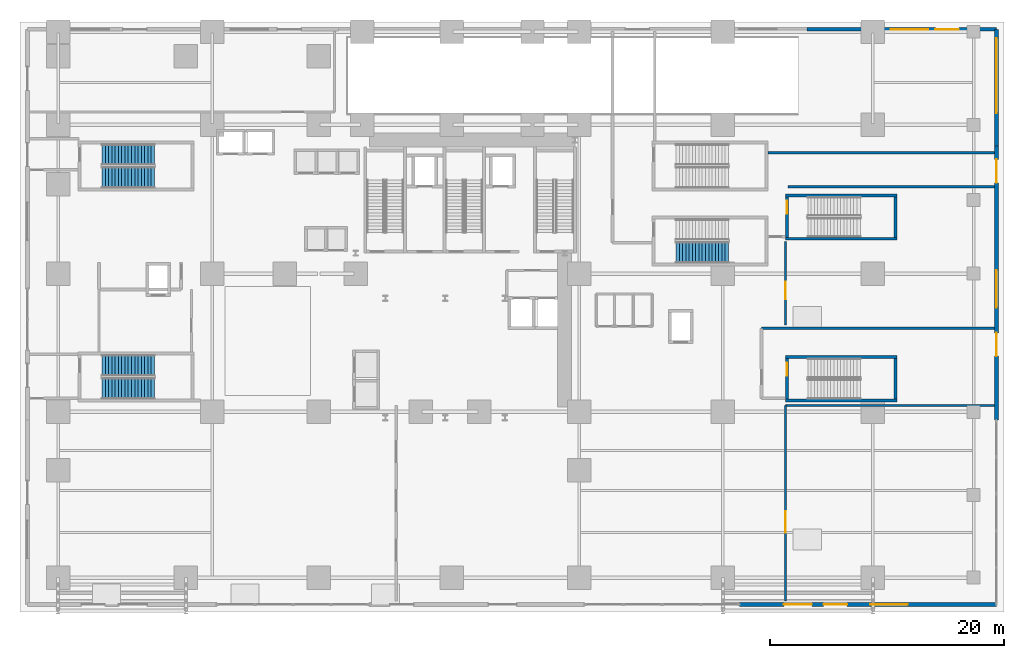
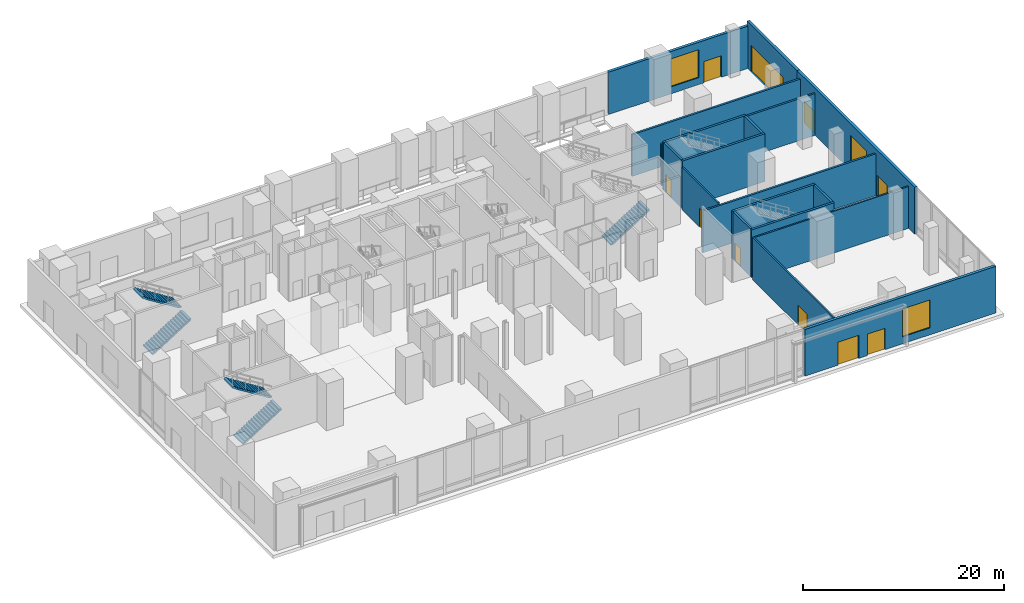
# One storey, part 17 of 25: 18 walls, 10 doors, 5 stair flights, 3 windows, 13 openings, 3 elements without a shape of their own.
"""IFC4 building model written with IfcOpenShell, lengths in metres."""

from ifc_helpers import new_model, si_unit, direction, frame, frame_2d, origin, place, context, subcontext, project, spatial, polyline, rectangle, outline, extrude, source, transform, mapped, material, layer, layer_set, type_object, element, fill, aggregate, save


model = new_model("IFC4")

# Units and contexts
model_context = context("Model", 3, precision=1e-05, world=origin(), true_north=direction((0.0, 1.0)))
body_context = subcontext(model_context, "Body", "Model", "MODEL_VIEW")
ifc_project = project(units=[si_unit("LENGTHUNIT", "METRE"), si_unit("AREAUNIT", "SQUARE_METRE"), si_unit("VOLUMEUNIT", "CUBIC_METRE"), si_unit("PLANEANGLEUNIT", "RADIAN"), si_unit("MASSUNIT", "GRAM", prefix="KILO")], contexts=[model_context])

# Site, building, storey
site_placement = place(None, origin())
site = spatial("IfcSite", under=ifc_project, at=site_placement, CompositionType="ELEMENT")
building_placement = place(site_placement, origin())
building = spatial("IfcBuilding", under=site, at=building_placement, Name="Vardaveli Station Tower", CompositionType="ELEMENT")
storey_placement = place(building_placement, origin())
storey = spatial("IfcBuildingStorey", under=building, at=storey_placement, Name="L01", CompositionType="ELEMENT", Elevation=0.0)

# Wall, openings, doors, window
ifc_material_1 = material(Name="Precast concrete C45/55", Category="concrete")
ifc_layer_1 = layer(ifc_material_1, 0.320068359375, Name="Precast concrete C45/55")
ifc_layer_set_1 = layer_set([ifc_layer_1], Name="Precast concrete C45/55")
wall_type_1 = type_object("IfcWallType", Name="WAL-EXT-STONE-320", PredefinedType="SOLIDWALL", material=ifc_layer_set_1)
shared_shape_1 = source(origin(), body_context, "Body", "SweptSolid", [
    extrude(rectangle(XDim=21.9501953125, YDim=0.320068359375, at=frame_2d((10.97509765625, 0.0))), origin(), (0.0, 0.0, 1.0), 5.679931640625),
])
wall_1_placement = place(storey_placement, frame((61.39990234375, 0.64990234375, 0.0), z_axis=(0.0, 0.0, 1.0), x_axis=(1.0, 0.0, 0.0)))
wall_1 = element("IfcWall", 1, at=wall_1_placement, inside=storey, type_object=wall_type_1, Name="EW-L01-S5", PredefinedType="SOLIDWALL", context=body_context, shape_type="MappedRepresentation", body=[
    mapped(shared_shape_1, transform((0.0, 0.0, 0.0), scale=1.0)),
])
shared_shape_2 = source(origin(), body_context, "Body", "SweptSolid", [
    extrude(rectangle(XDim=2.0, YDim=2.60009765625, at=frame_2d((1.0, 1.300048828125))), frame((0.0, 0.169921875, 0.0), z_axis=(0.0, -1.0, 0.0), x_axis=(1.0, 0.0, 0.0)), (0.0, 0.0, 1.0), 0.340087890625),
])
opening_1_placement = place(wall_1_placement, frame((7.199951171875, 0.0, 0.0)))
opening_1 = element("IfcOpeningElement", 2, at=opening_1_placement, cuts=wall_1, Name="Opening EX-03", PredefinedType="OPENING", context=body_context, shape_type="MappedRepresentation", body=[
    mapped(shared_shape_2, transform((0.0, 0.0, 0.0), scale=1.0)),
])
shared_shape_3 = source(origin(), body_context, "Body", "SweptSolid", [
    extrude(rectangle(XDim=2.39990234375, YDim=2.800048828125, at=frame_2d((1.199951171875, 1.39990234375))), frame((0.0, 0.169921875, 0.0), z_axis=(0.0, -1.0, 0.0), x_axis=(1.0, 0.0, 0.0)), (0.0, 0.0, 1.0), 0.340087890625),
])
opening_2_placement = place(wall_1_placement, frame((3.800048828125, 0.0, 0.0)))
opening_2 = element("IfcOpeningElement", 3, at=opening_2_placement, cuts=wall_1, Name="Opening EN-D1", PredefinedType="OPENING", context=body_context, shape_type="MappedRepresentation", body=[
    mapped(shared_shape_3, transform((0.0, 0.0, 0.0), scale=1.0)),
])
shared_shape_4 = source(origin(), body_context, "Body", "SweptSolid", [
    extrude(rectangle(XDim=3.199951171875, YDim=3.39990234375, at=frame_2d((1.60009765625, 1.699951171875))), frame((0.0, 0.169921875, 0.0), z_axis=(0.0, -1.0, 0.0), x_axis=(1.0, 0.0, 0.0)), (0.0, 0.0, 1.0), 0.340087890625),
])
opening_3_placement = place(wall_1_placement, frame((11.199951171875, 0.0, 0.85009765625)))
opening_3 = element("IfcOpeningElement", 4, at=opening_3_placement, cuts=wall_1, Name="Opening W-01", PredefinedType="OPENING", context=body_context, shape_type="MappedRepresentation", body=[
    mapped(shared_shape_4, transform((0.0, 0.0, 0.0), scale=1.0)),
])
ifc_material_2 = material(Name="Brushed stainless steel and glass", Category="steel")
door_type_1 = type_object("IfcDoorType", Name="DR-EX-2000x2600", OperationType="DOUBLE_DOOR_SINGLE_SWING", PredefinedType="DOOR", material=ifc_material_2)
shared_shape_5 = source(origin(), body_context, "Body", "SweptSolid", [
    extrude(rectangle(XDim=2.0, YDim=2.60009765625, at=frame_2d((1.0, 1.300048828125))), frame((0.0, 0.02490234375, 0.0), z_axis=(0.0, -1.0, 0.0), x_axis=(1.0, 0.0, 0.0)), (0.0, 0.0, 1.0), 0.050048828125),
])
door_1_placement = place(opening_1_placement, frame((2.0, 0.0, 0.0), z_axis=(0.0, 0.0, 1.0), x_axis=(-1.0, 0.0, 0.0)))
door_1 = element("IfcDoor", 5, at=door_1_placement, inside=storey, type_object=door_type_1, Name="EX-03", OperationType="DOUBLE_DOOR_SINGLE_SWING", OverallHeight=2.60009765625, OverallWidth=2.0, PredefinedType="DOOR", context=body_context, shape_type="MappedRepresentation", body=[
    mapped(shared_shape_5, transform((0.0, 0.0, 0.0), scale=1.0)),
])
fill(opening_1, door_1)
door_type_2 = type_object("IfcDoorType", Name="DR-ENT-2400x2800", OperationType="DOUBLE_DOOR_SINGLE_SWING", PredefinedType="DOOR", material=ifc_material_2)
shared_shape_6 = source(origin(), body_context, "Body", "SweptSolid", [
    extrude(rectangle(XDim=2.39990234375, YDim=2.800048828125, at=frame_2d((1.199951171875, 1.39990234375))), frame((0.0, 0.02490234375, 0.0), z_axis=(0.0, -1.0, 0.0), x_axis=(1.0, 0.0, 0.0)), (0.0, 0.0, 1.0), 0.050048828125),
])
door_2_placement = place(opening_2_placement, frame((2.39990234375, 0.0, 0.0), z_axis=(0.0, 0.0, 1.0), x_axis=(-1.0, 0.0, 0.0)))
door_2 = element("IfcDoor", 6, at=door_2_placement, inside=storey, type_object=door_type_2, Name="EN-S3", OperationType="DOUBLE_DOOR_SINGLE_SWING", OverallHeight=2.800048828125, OverallWidth=2.39990234375, PredefinedType="DOOR", context=body_context, shape_type="MappedRepresentation", body=[
    mapped(shared_shape_6, transform((0.0, 0.0, 0.0), scale=1.0)),
])
fill(opening_2, door_2)
ifc_material_3 = material(Name="Low-E acoustic laminated glass", Category="glass")
window_type = type_object("IfcWindowType", Name="WIN-CONC-3200x3400", PartitioningType="SINGLE_PANEL", PredefinedType="WINDOW", material=ifc_material_3)
shared_shape_7 = source(origin(), body_context, "Body", "SweptSolid", [
    extrude(rectangle(XDim=3.199951171875, YDim=3.39990234375, at=frame_2d((1.60009765625, 1.699951171875))), frame((0.0, 0.030029296875, 0.0), z_axis=(0.0, -1.0, 0.0), x_axis=(1.0, 0.0, 0.0)), (0.0, 0.0, 1.0), 0.06005859375),
])
window_1_placement = place(opening_3_placement, origin())
window_1 = element("IfcWindow", 7, at=window_1_placement, inside=storey, type_object=window_type, Name="WN-L01-S5", OverallHeight=3.39990234375, OverallWidth=3.199951171875, PartitioningType="SINGLE_PANEL", PredefinedType="WINDOW", context=body_context, shape_type="MappedRepresentation", body=[
    mapped(shared_shape_7, transform((0.0, 0.0, 0.0), scale=1.0)),
])
fill(opening_3, window_1)

# Wall, openings, door, window
shared_shape_8 = source(origin(), body_context, "Body", "SweptSolid", [
    extrude(rectangle(XDim=16.150146484375, YDim=0.320068359375, at=frame_2d((8.0751953125, 0.0))), origin(), (0.0, 0.0, 1.0), 5.15087890625),
])
wall_2_placement = place(storey_placement, frame((83.35009765625, 49.75, 0.0), z_axis=(0.0, 0.0, 1.0), x_axis=(-1.0, 0.0, 0.0)))
wall_2 = element("IfcWall", 8, at=wall_2_placement, inside=storey, type_object=wall_type_1, Name="EW-L01-N4", PredefinedType="SOLIDWALL", context=body_context, shape_type="MappedRepresentation", body=[
    mapped(shared_shape_8, transform((0.0, 0.0, 0.0), scale=1.0)),
])
opening_4_placement = place(wall_2_placement, frame((3.199951171875, 0.0, 0.0)))
opening_4 = element("IfcOpeningElement", 9, at=opening_4_placement, cuts=wall_2, Name="Opening EX-06", PredefinedType="OPENING", context=body_context, shape_type="MappedRepresentation", body=[
    mapped(shared_shape_2, transform((0.0, 0.0, 0.0), scale=1.0)),
])
opening_5_placement = place(wall_2_placement, frame((5.800048828125, 0.0, 0.85009765625)))
opening_5 = element("IfcOpeningElement", 10, at=opening_5_placement, cuts=wall_2, Name="Opening W-01", PredefinedType="OPENING", context=body_context, shape_type="MappedRepresentation", body=[
    mapped(shared_shape_4, transform((0.0, 0.0, 0.0), scale=1.0)),
])
door_3_placement = place(opening_4_placement, frame((2.0, 0.0, 0.0), z_axis=(0.0, 0.0, 1.0), x_axis=(-1.0, 0.0, 0.0)))
door_3 = element("IfcDoor", 11, at=door_3_placement, inside=storey, type_object=door_type_1, Name="EX-06", OperationType="DOUBLE_DOOR_SINGLE_SWING", OverallHeight=2.60009765625, OverallWidth=2.0, PredefinedType="DOOR", context=body_context, shape_type="MappedRepresentation", body=[
    mapped(shared_shape_5, transform((0.0, 0.0, 0.0), scale=1.0)),
])
fill(opening_4, door_3)
window_2_placement = place(opening_5_placement, origin())
window_2 = element("IfcWindow", 12, at=window_2_placement, inside=storey, type_object=window_type, Name="WN-L01-N4", OverallHeight=3.39990234375, OverallWidth=3.199951171875, PartitioningType="SINGLE_PANEL", PredefinedType="WINDOW", context=body_context, shape_type="MappedRepresentation", body=[
    mapped(shared_shape_7, transform((0.0, 0.0, 0.0), scale=1.0)),
])
fill(opening_5, window_2)

# Wall, openings, doors, window
shared_shape_9 = source(origin(), body_context, "Body", "SweptSolid", [
    extrude(rectangle(XDim=23.400146484375, YDim=0.320068359375, at=frame_2d((11.7001953125, 0.0))), origin(), (0.0, 0.0, 1.0), 5.679931640625),
])
wall_3_placement = place(storey_placement, frame((83.35009765625, 16.39990234375, 0.0), z_axis=(0.0, 0.0, 1.0), x_axis=(0.0, 1.0, 0.0)))
wall_3 = element("IfcWall", 13, at=wall_3_placement, inside=storey, type_object=wall_type_1, Name="EW-L01-E2", PredefinedType="SOLIDWALL", context=body_context, shape_type="MappedRepresentation", body=[
    mapped(shared_shape_9, transform((0.0, 0.0, 0.0), scale=1.0)),
])
opening_6_placement = place(wall_3_placement, frame((5.449951171875, 0.0, 0.0)))
opening_6 = element("IfcOpeningElement", 14, at=opening_6_placement, cuts=wall_3, Name="Opening EX-09", PredefinedType="OPENING", context=body_context, shape_type="MappedRepresentation", body=[
    mapped(shared_shape_2, transform((0.0, 0.0, 0.0), scale=1.0)),
])
opening_7_placement = place(wall_3_placement, frame((20.25, 0.0, 0.0)))
opening_7 = element("IfcOpeningElement", 15, at=opening_7_placement, cuts=wall_3, Name="Opening EX-10", PredefinedType="OPENING", context=body_context, shape_type="MappedRepresentation", body=[
    mapped(shared_shape_2, transform((0.0, 0.0, 0.0), scale=1.0)),
])
opening_8_placement = place(wall_3_placement, frame((9.60009765625, 0.0, 0.85009765625)))
opening_8 = element("IfcOpeningElement", 16, at=opening_8_placement, cuts=wall_3, Name="Opening W-01", PredefinedType="OPENING", context=body_context, shape_type="MappedRepresentation", body=[
    mapped(shared_shape_4, transform((0.0, 0.0, 0.0), scale=1.0)),
])
door_4_placement = place(opening_6_placement, frame((2.0, 0.0, 0.0), z_axis=(0.0, 0.0, 1.0), x_axis=(-1.0, 0.0, 0.0)))
door_4 = element("IfcDoor", 17, at=door_4_placement, inside=storey, type_object=door_type_1, Name="EX-09", OperationType="DOUBLE_DOOR_SINGLE_SWING", OverallHeight=2.60009765625, OverallWidth=2.0, PredefinedType="DOOR", context=body_context, shape_type="MappedRepresentation", body=[
    mapped(shared_shape_5, transform((0.0, 0.0, 0.0), scale=1.0)),
])
fill(opening_6, door_4)
door_5_placement = place(opening_7_placement, frame((2.0, 0.0, 0.0), z_axis=(0.0, 0.0, 1.0), x_axis=(-1.0, 0.0, 0.0)))
door_5 = element("IfcDoor", 18, at=door_5_placement, inside=storey, type_object=door_type_1, Name="EX-10", OperationType="DOUBLE_DOOR_SINGLE_SWING", OverallHeight=2.60009765625, OverallWidth=2.0, PredefinedType="DOOR", context=body_context, shape_type="MappedRepresentation", body=[
    mapped(shared_shape_5, transform((0.0, 0.0, 0.0), scale=1.0)),
])
fill(opening_7, door_5)
window_3_placement = place(opening_8_placement, origin())
window_3 = element("IfcWindow", 19, at=window_3_placement, inside=storey, type_object=window_type, Name="WN-L01-E2", OverallHeight=3.39990234375, OverallWidth=3.199951171875, PartitioningType="SINGLE_PANEL", PredefinedType="WINDOW", context=body_context, shape_type="MappedRepresentation", body=[
    mapped(shared_shape_7, transform((0.0, 0.0, 0.0), scale=1.0)),
])
fill(opening_8, window_3)

# Wall, opening, door
shared_shape_10 = source(origin(), body_context, "Body", "SweptSolid", [
    extrude(rectangle(XDim=9.949951171875, YDim=0.320068359375, at=frame_2d((4.97509765625, 0.0))), origin(), (0.0, 0.0, 1.0), 5.679931640625),
])
wall_4_placement = place(storey_placement, frame((83.35009765625, 39.800048828125, 0.0), z_axis=(0.0, 0.0, 1.0), x_axis=(0.0, 1.0, 0.0)))
wall_4 = element("IfcWall", 20, at=wall_4_placement, inside=storey, type_object=wall_type_1, Name="EW-L01-E3", PredefinedType="SOLIDWALL", context=body_context, shape_type="MappedRepresentation", body=[
    mapped(shared_shape_10, transform((0.0, 0.0, 0.0), scale=1.0)),
])
shared_shape_11 = source(origin(), body_context, "Body", "SweptSolid", [
    extrude(rectangle(XDim=6.39990234375, YDim=3.199951171875, at=frame_2d((3.199951171875, 1.60009765625))), frame((0.0, 0.169921875, 0.0), z_axis=(0.0, -1.0, 0.0), x_axis=(1.0, 0.0, 0.0)), (0.0, 0.0, 1.0), 0.340087890625),
])
opening_9_placement = place(wall_4_placement, frame((2.800048828125, 0.0, 0.0)))
opening_9 = element("IfcOpeningElement", 21, at=opening_9_placement, cuts=wall_4, Name="Opening VG-01", PredefinedType="OPENING", context=body_context, shape_type="MappedRepresentation", body=[
    mapped(shared_shape_11, transform((0.0, 0.0, 0.0), scale=1.0)),
])
ifc_material_4 = material(Name="Anodised aluminium roller shutter", Category="aluminium")
door_type_3 = type_object("IfcDoorType", Name="DR-VG-6400x3200", OperationType="ROLLINGUP", PredefinedType="GATE", material=ifc_material_4)
shared_shape_12 = source(origin(), body_context, "Body", "SweptSolid", [
    extrude(rectangle(XDim=6.39990234375, YDim=3.199951171875, at=frame_2d((3.199951171875, 1.60009765625))), frame((0.0, 0.02490234375, 0.0), z_axis=(0.0, -1.0, 0.0), x_axis=(1.0, 0.0, 0.0)), (0.0, 0.0, 1.0), 0.050048828125),
])
door_6_placement = place(opening_9_placement, frame((6.39990234375, 0.0, 0.0), z_axis=(0.0, 0.0, 1.0), x_axis=(-1.0, 0.0, 0.0)))
door_6 = element("IfcDoor", 22, at=door_6_placement, inside=storey, type_object=door_type_3, Name="VG-01", OperationType="ROLLINGUP", OverallHeight=3.199951171875, OverallWidth=6.39990234375, PredefinedType="GATE", context=body_context, shape_type="MappedRepresentation", body=[
    mapped(shared_shape_12, transform((0.0, 0.0, 0.0), scale=1.0)),
])
fill(opening_9, door_6)

# Walls
ifc_material_5 = material(Name="Concrete C40/50", Category="concrete")
ifc_layer_2 = layer(ifc_material_5, 0.25, Name="Concrete C40/50")
ifc_layer_set_2 = layer_set([ifc_layer_2], Name="Concrete C40/50")
wall_type_2 = type_object("IfcWallType", Name="WAL-SHAFT-250", PredefinedType="SOLIDWALL", material=ifc_layer_set_2)
shared_shape_13 = source(origin(), body_context, "Body", "SweptSolid", [
    extrude(rectangle(XDim=9.5, YDim=0.25, at=frame_2d((4.75, 0.0))), origin(), (0.0, 0.0, 1.0), 5.800048828125),
])
for number, where, z_axis, x_axis, name in (
    (23, (65.35009765625, 18.074951171875, 0.0), (0.0, 0.0, 1.0), (1.0, 0.0, 0.0), "W-L01-ST-C1S"),
    (24, (65.35009765625, 21.77490234375, 0.0), (0.0, 0.0, 1.0), (1.0, 0.0, 0.0), "W-L01-ST-C1N"),
    (25, (65.35009765625, 31.875, 0.0), (0.0, 0.0, 1.0), (1.0, 0.0, 0.0), "W-L01-ST-C2S"),
    (26, (65.35009765625, 35.574951171875, 0.0), (0.0, 0.0, 1.0), (1.0, 0.0, 0.0), "W-L01-ST-C2N"),
):
    element("IfcWall", number, at=place(storey_placement, frame(where, z_axis=z_axis, x_axis=x_axis)), inside=storey, type_object=wall_type_2, Name=name, PredefinedType="SOLIDWALL", context=body_context, shape_type="MappedRepresentation", body=[
        mapped(shared_shape_13, transform((0.0, 0.0, 0.0), scale=1.0)),
    ])
shared_shape_14 = source(origin(), body_context, "Body", "SweptSolid", [
    extrude(rectangle(XDim=3.449951171875, YDim=0.25, at=frame_2d((1.72509765625, 0.0))), origin(), (0.0, 0.0, 1.0), 5.800048828125),
])
wall_5_placement = place(storey_placement, frame((74.72509765625, 18.199951171875, 0.0), z_axis=(0.0, 0.0, 1.0), x_axis=(0.0, 1.0, 0.0)))
element("IfcWall", 27, at=wall_5_placement, inside=storey, type_object=wall_type_2, Name="W-L01-ST-C1E", PredefinedType="SOLIDWALL", context=body_context, shape_type="MappedRepresentation", body=[
    mapped(shared_shape_14, transform((0.0, 0.0, 0.0), scale=1.0)),
])

# Wall, opening, door
wall_6_placement = place(storey_placement, frame((65.47509765625, 18.199951171875, 0.0), z_axis=(0.0, 0.0, 1.0), x_axis=(0.0, 1.0, 0.0)))
wall_6 = element("IfcWall", 28, at=wall_6_placement, inside=storey, type_object=wall_type_2, Name="W-L01-ST-C1W", PredefinedType="SOLIDWALL", context=body_context, shape_type="MappedRepresentation", body=[
    mapped(shared_shape_14, transform((0.0, 0.0, 0.0), scale=1.0)),
])
shared_shape_15 = source(origin(), body_context, "Body", "SweptSolid", [
    extrude(rectangle(XDim=1.10009765625, YDim=2.199951171875, at=frame_2d((0.550048828125, 1.10009765625))), frame((0.0, 0.135009765625, 0.0), z_axis=(0.0, -1.0, 0.0), x_axis=(1.0, 0.0, 0.0)), (0.0, 0.0, 1.0), 0.27001953125),
])
opening_10_placement = place(wall_6_placement, frame((2.0, 0.0, 0.0)))
opening_10 = element("IfcOpeningElement", 29, at=opening_10_placement, cuts=wall_6, Name="Opening D-04", PredefinedType="OPENING", context=body_context, shape_type="MappedRepresentation", body=[
    mapped(shared_shape_15, transform((0.0, 0.0, 0.0), scale=1.0)),
])
ifc_material_6 = material(Name="Steel smokeproof fire doorset", Category="steel")
door_type_4 = type_object("IfcDoorType", Name="DR-ST-1100x2200", OperationType="NOTDEFINED", PredefinedType="DOOR", material=ifc_material_6)
shared_shape_16 = source(origin(), body_context, "Body", "SweptSolid", [
    extrude(rectangle(XDim=1.10009765625, YDim=2.199951171875, at=frame_2d((0.550048828125, 1.10009765625))), frame((0.0, 0.02490234375, 0.0), z_axis=(0.0, -1.0, 0.0), x_axis=(1.0, 0.0, 0.0)), (0.0, 0.0, 1.0), 0.050048828125),
])
door_7_placement = place(opening_10_placement, origin())
door_7 = element("IfcDoor", 30, at=door_7_placement, inside=storey, type_object=door_type_4, Name="DST-C1-L01", OperationType="SINGLE_SWING_RIGHT", OverallHeight=2.199951171875, OverallWidth=1.10009765625, PredefinedType="DOOR", context=body_context, shape_type="MappedRepresentation", body=[
    mapped(shared_shape_16, transform((0.0, 0.0, 0.0), scale=1.0)),
])
fill(opening_10, door_7)

# Wall
wall_7_placement = place(storey_placement, frame((74.72509765625, 32.0, 0.0), z_axis=(0.0, 0.0, 1.0), x_axis=(0.0, 1.0, 0.0)))
element("IfcWall", 31, at=wall_7_placement, inside=storey, type_object=wall_type_2, Name="W-L01-ST-C2E", PredefinedType="SOLIDWALL", context=body_context, shape_type="MappedRepresentation", body=[
    mapped(shared_shape_14, transform((0.0, 0.0, 0.0), scale=1.0)),
])

# Wall, opening, door
wall_8_placement = place(storey_placement, frame((65.47509765625, 32.0, 0.0), z_axis=(0.0, 0.0, 1.0), x_axis=(0.0, 1.0, 0.0)))
wall_8 = element("IfcWall", 32, at=wall_8_placement, inside=storey, type_object=wall_type_2, Name="W-L01-ST-C2W", PredefinedType="SOLIDWALL", context=body_context, shape_type="MappedRepresentation", body=[
    mapped(shared_shape_14, transform((0.0, 0.0, 0.0), scale=1.0)),
])
opening_11_placement = place(wall_8_placement, frame((2.0, 0.0, 0.0)))
opening_11 = element("IfcOpeningElement", 33, at=opening_11_placement, cuts=wall_8, Name="Opening D-04", PredefinedType="OPENING", context=body_context, shape_type="MappedRepresentation", body=[
    mapped(shared_shape_15, transform((0.0, 0.0, 0.0), scale=1.0)),
])
door_8_placement = place(opening_11_placement, origin())
door_8 = element("IfcDoor", 34, at=door_8_placement, inside=storey, type_object=door_type_4, Name="DST-C2-L01", OperationType="SINGLE_SWING_RIGHT", OverallHeight=2.199951171875, OverallWidth=1.10009765625, PredefinedType="DOOR", context=body_context, shape_type="MappedRepresentation", body=[
    mapped(shared_shape_16, transform((0.0, 0.0, 0.0), scale=1.0)),
])
fill(opening_11, door_8)

ifc_material_7 = material(Name="Fire-rated gypsum stud partition")
ifc_layer_3 = layer(ifc_material_7, 0.179931640625, Name="Fire-rated gypsum stud partition")
ifc_layer_set_3 = layer_set([ifc_layer_3], Name="Fire-rated gypsum stud partition")
wall_type_3 = type_object("IfcWallType", Name="WAL-CORR-180", PredefinedType="PARTITIONING", material=ifc_layer_set_3)
shared_shape_17 = source(origin(), body_context, "Body", "SweptSolid", [
    extrude(rectangle(XDim=16.699951171875, YDim=0.179931640625, at=frame_2d((8.35009765625, 0.0))), origin(), (0.0, 0.0, 1.0), 5.14794921875),
])
wall_9_placement = place(storey_placement, frame((65.35009765625, 0.949951171875, 0.0), z_axis=(0.0, 0.0, 1.0), x_axis=(0.0, 1.0, 0.0)))
wall_9 = element("IfcWall", 35, at=wall_9_placement, inside=storey, type_object=wall_type_3, Name="W-L01-RET2-W", PredefinedType="PARTITIONING", context=body_context, shape_type="MappedRepresentation", body=[
    mapped(shared_shape_17, transform((0.0, 0.0, 0.0), scale=1.0)),
])
shared_shape_18 = source(origin(), body_context, "Body", "SweptSolid", [
    extrude(rectangle(XDim=1.800048828125, YDim=2.39990234375, at=frame_2d((0.89990234375, 1.199951171875))), frame((0.0, 0.10009765625, 0.0), z_axis=(0.0, -1.0, 0.0), x_axis=(1.0, 0.0, 0.0)), (0.0, 0.0, 1.0), 0.199951171875),
])
opening_12_placement = place(wall_9_placement, frame((5.85009765625, 0.0, 0.0)))
opening_12 = element("IfcOpeningElement", 36, at=opening_12_placement, cuts=wall_9, Name="Opening D-01", PredefinedType="OPENING", context=body_context, shape_type="MappedRepresentation", body=[
    mapped(shared_shape_18, transform((0.0, 0.0, 0.0), scale=1.0)),
])
ifc_material_8 = material(Name="Acoustic hardwood fire doorset", Category="wood")
door_type_5 = type_object("IfcDoorType", Name="DR-BALL-1800x2400", OperationType="DOUBLE_DOOR_SINGLE_SWING", PredefinedType="DOOR", material=ifc_material_8)
shared_shape_19 = source(origin(), body_context, "Body", "SweptSolid", [
    extrude(rectangle(XDim=1.800048828125, YDim=2.39990234375, at=frame_2d((0.89990234375, 1.199951171875))), frame((0.0, 0.02490234375, 0.0), z_axis=(0.0, -1.0, 0.0), x_axis=(1.0, 0.0, 0.0)), (0.0, 0.0, 1.0), 0.050048828125),
])
door_9_placement = place(opening_12_placement, origin())
door_9 = element("IfcDoor", 37, at=door_9_placement, inside=storey, type_object=door_type_5, Name="D-L01-RT2", OperationType="DOUBLE_DOOR_SINGLE_SWING", OverallHeight=2.39990234375, OverallWidth=1.800048828125, PredefinedType="DOOR", context=body_context, shape_type="MappedRepresentation", body=[
    mapped(shared_shape_19, transform((0.0, 0.0, 0.0), scale=1.0)),
])
fill(opening_12, door_9)

shared_shape_20 = source(origin(), body_context, "Body", "SweptSolid", [
    extrude(rectangle(XDim=7.14990234375, YDim=0.179931640625, at=frame_2d((3.574951171875, 0.0))), origin(), (0.0, 0.0, 1.0), 5.14794921875),
])
wall_10_placement = place(storey_placement, frame((65.35009765625, 24.5, 0.0), z_axis=(0.0, 0.0, 1.0), x_axis=(0.0, 1.0, 0.0)))
wall_10 = element("IfcWall", 38, at=wall_10_placement, inside=storey, type_object=wall_type_3, Name="W-L01-LDG-W", PredefinedType="PARTITIONING", context=body_context, shape_type="MappedRepresentation", body=[
    mapped(shared_shape_20, transform((0.0, 0.0, 0.0), scale=1.0)),
])
shared_shape_21 = source(origin(), body_context, "Body", "SweptSolid", [
    extrude(rectangle(XDim=1.5, YDim=2.300048828125, at=frame_2d((0.75, 1.14990234375))), frame((0.0, 0.10009765625, 0.0), z_axis=(0.0, -1.0, 0.0), x_axis=(1.0, 0.0, 0.0)), (0.0, 0.0, 1.0), 0.199951171875),
])
opening_13_placement = place(wall_10_placement, frame((2.199951171875, 0.0, 0.0)))
opening_13 = element("IfcOpeningElement", 39, at=opening_13_placement, cuts=wall_10, Name="Opening D-02", PredefinedType="OPENING", context=body_context, shape_type="MappedRepresentation", body=[
    mapped(shared_shape_21, transform((0.0, 0.0, 0.0), scale=1.0)),
])
ifc_material_9 = material(Name="Galvanised steel acoustic doorset", Category="steel")
door_type_6 = type_object("IfcDoorType", Name="DR-PLANT-1500x2300", OperationType="DOUBLE_DOOR_SINGLE_SWING", PredefinedType="DOOR", material=ifc_material_9)
shared_shape_22 = source(origin(), body_context, "Body", "SweptSolid", [
    extrude(rectangle(XDim=1.5, YDim=2.300048828125, at=frame_2d((0.75, 1.14990234375))), frame((0.0, 0.02490234375, 0.0), z_axis=(0.0, -1.0, 0.0), x_axis=(1.0, 0.0, 0.0)), (0.0, 0.0, 1.0), 0.050048828125),
])
door_10_placement = place(opening_13_placement, origin())
door_10 = element("IfcDoor", 40, at=door_10_placement, inside=storey, type_object=door_type_6, Name="D-L01-LDG", OperationType="DOUBLE_DOOR_SINGLE_SWING", OverallHeight=2.300048828125, OverallWidth=1.5, PredefinedType="DOOR", context=body_context, shape_type="MappedRepresentation", body=[
    mapped(shared_shape_22, transform((0.0, 0.0, 0.0), scale=1.0)),
])
fill(opening_13, door_10)

# Walls
ifc_layer_4 = layer(ifc_material_5, 0.219970703125, Name="Concrete C40/50")
ifc_layer_set_4 = layer_set([ifc_layer_4], Name="Concrete C40/50")
wall_type_4 = type_object("IfcWallType", Name="WAL-FFLOBBY-220", PredefinedType="SOLIDWALL", material=ifc_layer_set_4)
shared_shape_23 = source(origin(), body_context, "Body", "SweptSolid", [
    extrude(rectangle(XDim=19.887939453125, YDim=0.219970703125, at=frame_2d((9.94384765625, 0.0))), origin(), (0.0, 0.0, 1.0), 5.072021484375),
])
wall_11_placement = place(storey_placement, frame((63.300048828125, 24.219970703125, 0.0), z_axis=(0.0, 0.0, 1.0), x_axis=(1.0, 0.0, 0.0)))
element("IfcWall", 41, at=wall_11_placement, inside=storey, type_object=wall_type_4, Name="W-L01-PXPC1-N", PredefinedType="SOLIDWALL", context=body_context, shape_type="MappedRepresentation", body=[
    mapped(shared_shape_23, transform((0.0, 0.0, 0.0), scale=1.0)),
])
shared_shape_24 = source(origin(), body_context, "Body", "SweptSolid", [
    extrude(rectangle(XDim=19.3359375, YDim=0.219970703125, at=frame_2d((9.66796875, 0.0))), origin(), (0.0, 0.0, 1.0), 5.072021484375),
])
wall_12_placement = place(storey_placement, frame((63.85205078125, 39.219970703125, 0.0), z_axis=(0.0, 0.0, 1.0), x_axis=(1.0, 0.0, 0.0)))
element("IfcWall", 42, at=wall_12_placement, inside=storey, type_object=wall_type_4, Name="W-L01-PXPC2-N", PredefinedType="SOLIDWALL", context=body_context, shape_type="MappedRepresentation", body=[
    mapped(shared_shape_24, transform((0.0, 0.0, 0.0), scale=1.0)),
])
shared_shape_25 = source(origin(), body_context, "Body", "SweptSolid", [
    extrude(rectangle(XDim=17.837890625, YDim=0.179931640625, at=frame_2d((8.9189453125, 0.0))), origin(), (0.0, 0.0, 1.0), 5.072021484375),
])
wall_13_placement = place(storey_placement, frame((65.35009765625, 17.64990234375, 0.0), z_axis=(0.0, 0.0, 1.0), x_axis=(1.0, 0.0, 0.0)))
element("IfcWall", 43, at=wall_13_placement, inside=storey, type_object=wall_type_3, Name="W-L01-RET2-N", PredefinedType="PARTITIONING", context=body_context, shape_type="MappedRepresentation", body=[
    mapped(shared_shape_25, transform((0.0, 0.0, 0.0), scale=1.0)),
])
shared_shape_26 = source(origin(), body_context, "Body", "SweptSolid", [
    extrude(rectangle(XDim=17.637939453125, YDim=0.219970703125, at=frame_2d((8.81884765625, 0.0))), origin(), (0.0, 0.0, 1.0), 5.072021484375),
])
wall_14_placement = place(storey_placement, frame((65.550048828125, 36.300048828125, 0.0), z_axis=(0.0, 0.0, 1.0), x_axis=(1.0, 0.0, 0.0)))
element("IfcWall", 44, at=wall_14_placement, inside=storey, type_object=wall_type_4, Name="W-L01-PXPC2-S2", PredefinedType="SOLIDWALL", context=body_context, shape_type="MappedRepresentation", body=[
    mapped(shared_shape_26, transform((0.0, 0.0, 0.0), scale=1.0)),
])

# Stair, stair flights
stair_type = type_object("IfcStairType", Name="STR-POD-1800", PredefinedType="HALF_TURN_STAIR", material=ifc_material_5)
stair_1_placement = place(storey_placement, origin())
stair_1 = element("IfcStair", 45, at=stair_1_placement, inside=storey, type_object=stair_type, Name="L01 ST-S1", PredefinedType="HALF_TURN_STAIR")
stair_flight_type = type_object("IfcStairFlightType", Name="SFL-POD-1800", PredefinedType="STRAIGHT", material=ifc_material_5)
shared_shape_27 = source(origin(), body_context, "Body", "SweptSolid", [
    extrude(outline(polyline([(0.0, 0.0), (0.0, 0.176513671875), (0.280029296875, 0.176513671875), (0.280029296875, 0.35302734375), (0.56005859375, 0.35302734375), (0.56005859375, 0.529296875), (0.840087890625, 0.529296875), (0.840087890625, 0.705810546875), (1.1201171875, 0.705810546875), (1.1201171875, 0.88232421875), (1.39990234375, 0.88232421875), (1.39990234375, 1.058837890625), (1.679931640625, 1.058837890625), (1.679931640625, 1.2353515625), (1.9599609375, 1.2353515625), (1.9599609375, 1.411865234375), (2.239990234375, 1.411865234375), (2.239990234375, 1.588134765625), (2.52001953125, 1.588134765625), (2.52001953125, 1.7646484375), (2.800048828125, 1.7646484375), (2.800048828125, 1.941162109375), (3.080078125, 1.941162109375), (3.080078125, 2.11767578125), (3.360107421875, 2.11767578125), (3.360107421875, 2.294189453125), (3.639892578125, 2.294189453125), (3.639892578125, 2.470703125), (3.919921875, 2.470703125), (3.919921875, 2.64697265625), (4.199951171875, 2.64697265625), (4.199951171875, 2.823486328125), (4.47998046875, 2.823486328125), (4.47998046875, 3.0), (4.47998046875, 2.646240234375), (0.28125, 0.0), (0.0, 0.0)])), frame((0.0, 0.89990234375, 0.0), z_axis=(0.0, -1.0, 0.0), x_axis=(1.0, 0.0, 0.0)), (0.0, 0.0, 1.0), 1.800048828125),
])
stair_flight_1_placement = place(storey_placement, frame((7.0, 19.10009765625, 0.0), z_axis=(0.0, 0.0, 1.0), x_axis=(1.0, 0.0, 0.0)))
stair_flight_1 = element("IfcStairFlight", 46, at=stair_flight_1_placement, type_object=stair_flight_type, Name="ST-S1 flight 1", NumberOfRisers=17, NumberOfTreads=16, PredefinedType="STRAIGHT", RiserHeight=0.176470588, TreadLength=0.28, context=body_context, shape_type="MappedRepresentation", body=[
    mapped(shared_shape_27, transform((0.0, 0.0, 0.0), scale=1.0)),
])
stair_flight_2_placement = place(storey_placement, frame((11.47998046875, 21.050048828125, 3.0), z_axis=(0.0, 0.0, 1.0), x_axis=(-1.0, 0.0, 0.0)))
stair_flight_2 = element("IfcStairFlight", 47, at=stair_flight_2_placement, type_object=stair_flight_type, Name="ST-S1 flight 2", NumberOfRisers=17, NumberOfTreads=16, PredefinedType="STRAIGHT", RiserHeight=0.176470588, TreadLength=0.28, context=body_context, shape_type="MappedRepresentation", body=[
    mapped(shared_shape_27, transform((0.0, 0.0, 0.0), scale=1.0)),
])
aggregate(stair_1, [stair_flight_1, stair_flight_2])

# Stair, stair flight
stair_2_placement = place(storey_placement, origin())
stair_2 = element("IfcStair", 48, at=stair_2_placement, inside=storey, type_object=stair_type, Name="L01 ST-S2", PredefinedType="HALF_TURN_STAIR")
stair_flight_3_placement = place(storey_placement, frame((56.0, 30.699951171875, 0.0), z_axis=(0.0, 0.0, 1.0), x_axis=(1.0, 0.0, 0.0)))
stair_flight_3 = element("IfcStairFlight", 49, at=stair_flight_3_placement, type_object=stair_flight_type, Name="ST-S2 flight 1", NumberOfRisers=17, NumberOfTreads=16, PredefinedType="STRAIGHT", RiserHeight=0.176470588, TreadLength=0.28, context=body_context, shape_type="MappedRepresentation", body=[
    mapped(shared_shape_27, transform((0.0, 0.0, 0.0), scale=1.0)),
])
aggregate(stair_2, [stair_flight_3])

# Stair, stair flights
stair_3_placement = place(storey_placement, origin())
stair_3 = element("IfcStair", 50, at=stair_3_placement, inside=storey, type_object=stair_type, Name="L01 ST-P1", PredefinedType="HALF_TURN_STAIR")
stair_flight_4_placement = place(storey_placement, frame((7.0, 37.10009765625, 0.0), z_axis=(0.0, 0.0, 1.0), x_axis=(1.0, 0.0, 0.0)))
stair_flight_4 = element("IfcStairFlight", 51, at=stair_flight_4_placement, type_object=stair_flight_type, Name="ST-P1 flight 1", NumberOfRisers=17, NumberOfTreads=16, PredefinedType="STRAIGHT", RiserHeight=0.176470588, TreadLength=0.28, context=body_context, shape_type="MappedRepresentation", body=[
    mapped(shared_shape_27, transform((0.0, 0.0, 0.0), scale=1.0)),
])
stair_flight_5_placement = place(storey_placement, frame((11.47998046875, 39.050048828125, 3.0), z_axis=(0.0, 0.0, 1.0), x_axis=(-1.0, 0.0, 0.0)))
stair_flight_5 = element("IfcStairFlight", 52, at=stair_flight_5_placement, type_object=stair_flight_type, Name="ST-P1 flight 2", NumberOfRisers=17, NumberOfTreads=16, PredefinedType="STRAIGHT", RiserHeight=0.176470588, TreadLength=0.28, context=body_context, shape_type="MappedRepresentation", body=[
    mapped(shared_shape_27, transform((0.0, 0.0, 0.0), scale=1.0)),
])
aggregate(stair_3, [stair_flight_4, stair_flight_5])

save(model, "model.ifc")
